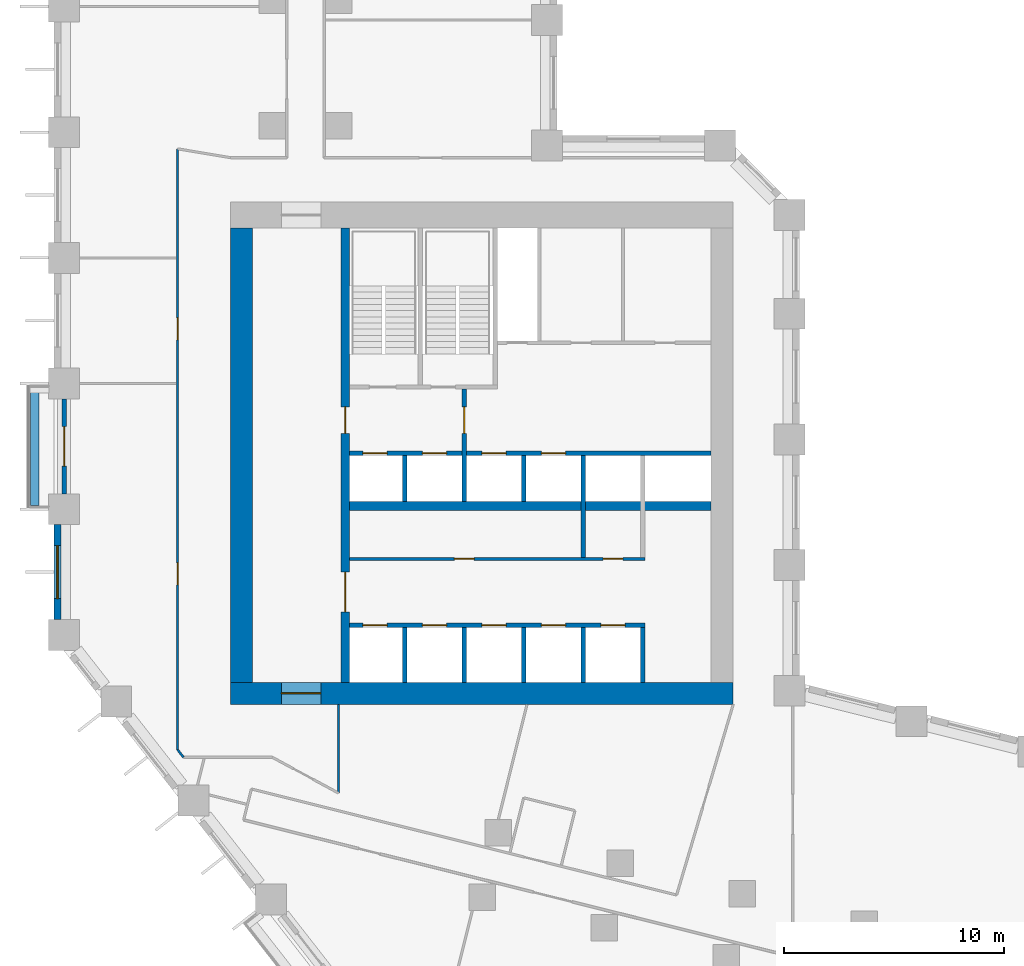
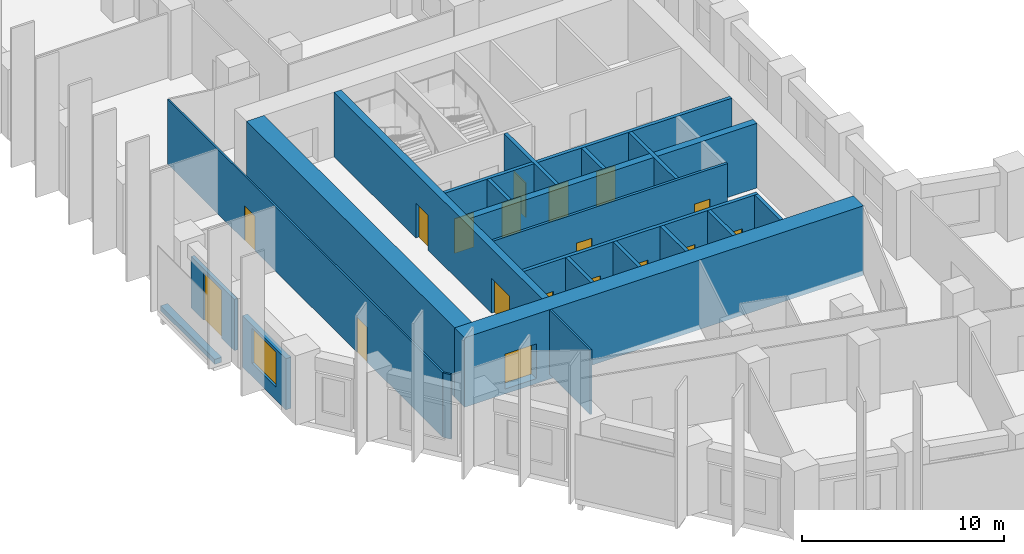
# One storey, part 5 of 12: 22 walls, 18 doors, 1 window, 19 openings.
"""IFC4 building model written with IfcOpenShell, lengths in metres."""

from ifc_helpers import new_model, si_unit, direction, frame, frame_2d, origin, place, context, subcontext, project, spatial, rectangle, extrude, material, layer, layer_set, type_object, element, fill, save


model = new_model("IFC4")

# Units and contexts
model_context = context("Model", 3, precision=1e-05, world=origin(), true_north=direction((0.0, 1.0)))
body_context = subcontext(model_context, "Body", "Model", "MODEL_VIEW")
ifc_project = project(units=[si_unit("LENGTHUNIT", "METRE"), si_unit("AREAUNIT", "SQUARE_METRE"), si_unit("VOLUMEUNIT", "CUBIC_METRE"), si_unit("PLANEANGLEUNIT", "RADIAN"), si_unit("MASSUNIT", "GRAM", prefix="KILO")], contexts=[model_context])

# Site, building, storey
site_placement = place(None, origin())
site = spatial("IfcSite", under=ifc_project, at=site_placement, CompositionType="ELEMENT")
building_placement = place(site_placement, origin())
building = spatial("IfcBuilding", under=site, at=building_placement, Name="Meshkara Civic Tower", CompositionType="ELEMENT")
storey_placement = place(building_placement, frame((0.0, 0.0, 83.39990234375)))
storey = spatial("IfcBuildingStorey", under=building, at=storey_placement, Name="L18", CompositionType="ELEMENT", Elevation=83.39990234375)

# Wall, openings, doors
ifc_material_1 = material(Name="Blockwork", Category="masonry")
ifc_layer_1 = layer(ifc_material_1, 0.14990234375)
ifc_layer_set_1 = layer_set([ifc_layer_1], Name="Core partition 150")
wall_type_1 = type_object("IfcWallType", Name="Core partition 150", PredefinedType="PARTITIONING", material=ifc_layer_set_1)
wall_1_placement = place(storey_placement, frame((13.39990234375, 20.699951171875, 0.0), z_axis=(0.0, 0.0, 1.0), x_axis=(1.0, 0.0, 0.0)))
wall_1 = element("IfcWall", 1, at=wall_1_placement, inside=storey, type_object=wall_type_1, Name="L18-C006", PredefinedType="PARTITIONING", context=body_context, shape_type="SweptSolid", body=[
    extrude(rectangle(XDim=13.400146484375, YDim=0.14990234375, at=frame_2d((6.7001953125, 0.0))), origin(), (0.0, 0.0, 1.0), 3.900146484375),
])
opening_1_placement = place(wall_1_placement, frame((4.75, 0.0, 0.0)))
opening_1 = element("IfcOpeningElement", 2, at=opening_1_placement, cuts=wall_1, Name="Opening L18-K010", PredefinedType="OPENING", context=body_context, shape_type="SweptSolid", body=[
    extrude(rectangle(XDim=0.89990234375, YDim=2.10009765625, at=frame_2d((0.449951171875, 1.050048828125))), frame((0.0, 0.0849609375, 0.0), z_axis=(0.0, -1.0, 0.0), x_axis=(1.0, 0.0, 0.0)), (0.0, 0.0, 1.0), 0.169921875),
])
opening_2_placement = place(wall_1_placement, frame((11.5, 0.0, 0.0)))
opening_2 = element("IfcOpeningElement", 3, at=opening_2_placement, cuts=wall_1, Name="Opening L18-K011", PredefinedType="OPENING", context=body_context, shape_type="SweptSolid", body=[
    extrude(rectangle(XDim=0.89990234375, YDim=2.10009765625, at=frame_2d((0.449951171875, 1.050048828125))), frame((0.0, 0.0849609375, 0.0), z_axis=(0.0, -1.0, 0.0), x_axis=(1.0, 0.0, 0.0)), (0.0, 0.0, 1.0), 0.169921875),
])
ifc_material_2 = material(Name="Timber door leaf in steel frame", Category="steel")
door_type_1 = type_object("IfcDoorType", Name="Core room door 900", OperationType="SINGLE_SWING_LEFT", PredefinedType="DOOR", material=ifc_material_2)
door_1_placement = place(opening_1_placement, origin())
door_1 = element("IfcDoor", 4, at=door_1_placement, inside=storey, type_object=door_type_1, Name="L18-K010", OperationType="SINGLE_SWING_RIGHT", OverallHeight=2.10009765625, OverallWidth=0.89990234375, PredefinedType="DOOR", context=body_context, shape_type="SweptSolid", body=[
    extrude(rectangle(XDim=0.89990234375, YDim=2.10009765625, at=frame_2d((0.449951171875, 1.050048828125))), frame((0.0, 0.02490234375, 0.0), z_axis=(0.0, -1.0, 0.0), x_axis=(1.0, 0.0, 0.0)), (0.0, 0.0, 1.0), 0.050048828125),
])
fill(opening_1, door_1)
door_2_placement = place(opening_2_placement, origin())
door_2 = element("IfcDoor", 5, at=door_2_placement, inside=storey, type_object=door_type_1, Name="L18-K011", OperationType="SINGLE_SWING_RIGHT", OverallHeight=2.10009765625, OverallWidth=0.89990234375, PredefinedType="DOOR", context=body_context, shape_type="SweptSolid", body=[
    extrude(rectangle(XDim=0.89990234375, YDim=2.10009765625, at=frame_2d((0.449951171875, 1.050048828125))), frame((0.0, 0.02490234375, 0.0), z_axis=(0.0, -1.0, 0.0), x_axis=(1.0, 0.0, 0.0)), (0.0, 0.0, 1.0), 0.050048828125),
])
fill(opening_2, door_2)

# Wall, opening, door
ifc_material_3 = material(Name="Concrete C80", Category="concrete")
ifc_layer_2 = layer(ifc_material_3, 1.0)
ifc_layer_set_2 = layer_set([ifc_layer_2], Name="Core ring wall 1000 C80")
wall_type_2 = type_object("IfcWallType", Name="Core ring wall 1000 C80", PredefinedType="SHEAR", material=ifc_layer_set_2)
wall_2_placement = place(storey_placement, frame((8.0, 14.60009765625, -0.2998046875), z_axis=(0.0, 0.0, 1.0), x_axis=(1.0, 0.0, 0.0)))
wall_2 = element("IfcWall", 6, at=wall_2_placement, inside=storey, type_object=wall_type_2, Name="L18-C001", PredefinedType="SHEAR", context=body_context, shape_type="SweptSolid", body=[
    extrude(rectangle(XDim=22.800048828125, YDim=1.0, at=frame_2d((11.39990234375, 0.0))), origin(), (0.0, 0.0, 1.0), 4.199951171875),
])
opening_3_placement = place(wall_2_placement, frame((2.300048828125, 0.0, 0.300048828125)))
opening_3 = element("IfcOpeningElement", 7, at=opening_3_placement, cuts=wall_2, Name="Opening L18-K021", PredefinedType="OPENING", context=body_context, shape_type="SweptSolid", body=[
    extrude(rectangle(XDim=1.800048828125, YDim=2.10009765625, at=frame_2d((0.89990234375, 1.050048828125))), frame((0.0, 0.510009765625, 0.0), z_axis=(0.0, -1.0, 0.0), x_axis=(1.0, 0.0, 0.0)), (0.0, 0.0, 1.0), 1.02001953125),
])
ifc_material_4 = material(Name="Fire-rated door leaf in steel frame", Category="steel")
door_type_2 = type_object("IfcDoorType", Name="Core double door 1800 EI 60", OperationType="DOUBLE_DOOR_SINGLE_SWING", PredefinedType="DOOR", material=ifc_material_4)
door_3_placement = place(opening_3_placement, origin())
door_3 = element("IfcDoor", 8, at=door_3_placement, inside=storey, type_object=door_type_2, Name="L18-K021", OperationType="DOUBLE_DOOR_SINGLE_SWING", OverallHeight=2.10009765625, OverallWidth=1.800048828125, PredefinedType="DOOR", context=body_context, shape_type="SweptSolid", body=[
    extrude(rectangle(XDim=1.800048828125, YDim=2.10009765625, at=frame_2d((0.89990234375, 1.050048828125))), frame((0.0, 0.02490234375, 0.0), z_axis=(0.0, -1.0, 0.0), x_axis=(1.0, 0.0, 0.0)), (0.0, 0.0, 1.0), 0.050048828125),
])
fill(opening_3, door_3)

# Walls
wall_3_placement = place(storey_placement, frame((8.5, 15.10009765625, -0.2998046875), z_axis=(0.0, 0.0, 1.0), x_axis=(0.0, 1.0, 0.0)))
element("IfcWall", 9, at=wall_3_placement, inside=storey, type_object=wall_type_2, Name="L18-C003", PredefinedType="SHEAR", context=body_context, shape_type="SweptSolid", body=[
    extrude(rectangle(XDim=20.599853515625, YDim=1.0, at=frame_2d((10.2998046875, 0.0))), origin(), (0.0, 0.0, 1.0), 4.199951171875),
])
ifc_material_5 = material(Name="Concrete C80", Category="concrete")
ifc_layer_3 = layer(ifc_material_5, 0.39990234375)
ifc_layer_set_3 = layer_set([ifc_layer_3], Name="Core shear wall 400 C80")
wall_type_3 = type_object("IfcWallType", Name="Core shear wall 400 C80", PredefinedType="SHEAR", material=ifc_layer_set_3)
wall_4_placement = place(storey_placement, frame((13.39990234375, 23.10009765625, 0.0), z_axis=(0.0, 0.0, 1.0), x_axis=(1.0, 0.0, 0.0)))
element("IfcWall", 10, at=wall_4_placement, inside=storey, type_object=wall_type_3, Name="L18-C007", PredefinedType="SHEAR", context=body_context, shape_type="SweptSolid", body=[
    extrude(rectangle(XDim=16.400146484375, YDim=0.39990234375, at=frame_2d((8.2001953125, 0.0))), origin(), (0.0, 0.0, 1.0), 3.900146484375),
])

# Wall, openings, doors
wall_5_placement = place(storey_placement, frame((13.199951171875, 15.10009765625, 0.0), z_axis=(0.0, 0.0, 1.0), x_axis=(0.0, 1.0, 0.0)))
wall_5 = element("IfcWall", 11, at=wall_5_placement, inside=storey, type_object=wall_type_3, Name="L18-C011", PredefinedType="SHEAR", context=body_context, shape_type="SweptSolid", body=[
    extrude(rectangle(XDim=20.599853515625, YDim=0.39990234375, at=frame_2d((10.2998046875, 0.0))), origin(), (0.0, 0.0, 1.0), 3.900146484375),
])
opening_4_placement = place(wall_5_placement, frame((3.199951171875, 0.0, 0.0)))
opening_4 = element("IfcOpeningElement", 12, at=opening_4_placement, cuts=wall_5, Name="Opening L18-K017", PredefinedType="OPENING", context=body_context, shape_type="SweptSolid", body=[
    extrude(rectangle(XDim=1.800048828125, YDim=2.10009765625, at=frame_2d((0.89990234375, 1.050048828125))), frame((0.0, 0.2099609375, 0.0), z_axis=(0.0, -1.0, 0.0), x_axis=(1.0, 0.0, 0.0)), (0.0, 0.0, 1.0), 0.419921875),
])
opening_5_placement = place(wall_5_placement, frame((11.300048828125, 0.0, 0.0)))
opening_5 = element("IfcOpeningElement", 13, at=opening_5_placement, cuts=wall_5, Name="Opening L18-K018", PredefinedType="OPENING", context=body_context, shape_type="SweptSolid", body=[
    extrude(rectangle(XDim=1.199951171875, YDim=2.10009765625, at=frame_2d((0.60009765625, 1.050048828125))), frame((0.0, 0.2099609375, 0.0), z_axis=(0.0, -1.0, 0.0), x_axis=(1.0, 0.0, 0.0)), (0.0, 0.0, 1.0), 0.419921875),
])
door_4_placement = place(opening_4_placement, origin())
door_4 = element("IfcDoor", 14, at=door_4_placement, inside=storey, type_object=door_type_2, Name="L18-K017", OperationType="DOUBLE_DOOR_SINGLE_SWING", OverallHeight=2.10009765625, OverallWidth=1.800048828125, PredefinedType="DOOR", context=body_context, shape_type="SweptSolid", body=[
    extrude(rectangle(XDim=1.800048828125, YDim=2.10009765625, at=frame_2d((0.89990234375, 1.050048828125))), frame((0.0, 0.02490234375, 0.0), z_axis=(0.0, -1.0, 0.0), x_axis=(1.0, 0.0, 0.0)), (0.0, 0.0, 1.0), 0.050048828125),
])
fill(opening_4, door_4)
ifc_material_6 = material(Name="Fire-rated door leaf in steel frame", Category="steel")
door_type_3 = type_object("IfcDoorType", Name="Fire-fighting lobby door 1200 EI 120", OperationType="SINGLE_SWING_LEFT", PredefinedType="DOOR", material=ifc_material_6)
door_5_placement = place(opening_5_placement, origin())
door_5 = element("IfcDoor", 15, at=door_5_placement, inside=storey, type_object=door_type_3, Name="L18-K018", OperationType="SINGLE_SWING_LEFT", OverallHeight=2.10009765625, OverallWidth=1.199951171875, PredefinedType="DOOR", context=body_context, shape_type="SweptSolid", body=[
    extrude(rectangle(XDim=1.199951171875, YDim=2.10009765625, at=frame_2d((0.60009765625, 1.050048828125))), frame((0.0, 0.02490234375, 0.0), z_axis=(0.0, -1.0, 0.0), x_axis=(1.0, 0.0, 0.0)), (0.0, 0.0, 1.0), 0.050048828125),
])
fill(opening_5, door_5)

ifc_material_7 = material(Name="Corridor wall 100")
ifc_layer_4 = layer(ifc_material_7, 0.10009765625)
ifc_layer_set_4 = layer_set([ifc_layer_4], Name="Corridor wall 100")
wall_type_4 = type_object("IfcWallType", Name="Corridor wall 100", PredefinedType="PARTITIONING", material=ifc_layer_set_4)
wall_6_placement = place(storey_placement, frame((5.60009765625, 12.04296875, 0.0), z_axis=(0.0, 0.0, 1.0), x_axis=(0.0, 1.0, 0.0)))
wall_6 = element("IfcWall", 16, at=wall_6_placement, inside=storey, type_object=wall_type_4, Name="L18-W003", PredefinedType="PARTITIONING", context=body_context, shape_type="SweptSolid", body=[
    extrude(rectangle(XDim=27.257080078125, YDim=0.10009765625, at=frame_2d((13.62841796875, 0.0))), origin(), (0.0, 0.0, 1.0), 3.900146484375),
])
opening_6_placement = place(wall_6_placement, frame((7.47998046875, 0.0, 0.0)))
opening_6 = element("IfcOpeningElement", 17, at=opening_6_placement, cuts=wall_6, Name="Opening L18-D018", PredefinedType="OPENING", context=body_context, shape_type="SweptSolid", body=[
    extrude(rectangle(XDim=1.0, YDim=2.10009765625, at=frame_2d((0.5, 1.050048828125))), frame((0.0, 0.06005859375, 0.0), z_axis=(0.0, -1.0, 0.0), x_axis=(1.0, 0.0, 0.0)), (0.0, 0.0, 1.0), 0.1201171875),
])
opening_7_placement = place(wall_6_placement, frame((18.592041015625, 0.0, 0.0)))
opening_7 = element("IfcOpeningElement", 18, at=opening_7_placement, cuts=wall_6, Name="Opening L18-D019", PredefinedType="OPENING", context=body_context, shape_type="SweptSolid", body=[
    extrude(rectangle(XDim=1.0, YDim=2.10009765625, at=frame_2d((0.5, 1.050048828125))), frame((0.0, 0.06005859375, 0.0), z_axis=(0.0, -1.0, 0.0), x_axis=(1.0, 0.0, 0.0)), (0.0, 0.0, 1.0), 0.1201171875),
])
ifc_material_8 = material(Name="Door 1000 x 2100")
door_type_4 = type_object("IfcDoorType", Name="Door 1000 x 2100", OperationType="SINGLE_SWING_LEFT", PredefinedType="DOOR", material=ifc_material_8)
door_6_placement = place(opening_6_placement, origin())
door_6 = element("IfcDoor", 19, at=door_6_placement, inside=storey, type_object=door_type_4, Name="L18-D018", OperationType="SINGLE_SWING_LEFT", OverallHeight=2.10009765625, OverallWidth=1.0, PredefinedType="DOOR", context=body_context, shape_type="SweptSolid", body=[
    extrude(rectangle(XDim=1.0, YDim=2.10009765625, at=frame_2d((0.5, 1.050048828125))), frame((0.0, 0.02490234375, 0.0), z_axis=(0.0, -1.0, 0.0), x_axis=(1.0, 0.0, 0.0)), (0.0, 0.0, 1.0), 0.050048828125),
])
fill(opening_6, door_6)
door_7_placement = place(opening_7_placement, origin())
door_7 = element("IfcDoor", 20, at=door_7_placement, inside=storey, type_object=door_type_4, Name="L18-D019", OperationType="SINGLE_SWING_LEFT", OverallHeight=2.10009765625, OverallWidth=1.0, PredefinedType="DOOR", context=body_context, shape_type="SweptSolid", body=[
    extrude(rectangle(XDim=1.0, YDim=2.10009765625, at=frame_2d((0.5, 1.050048828125))), frame((0.0, 0.02490234375, 0.0), z_axis=(0.0, -1.0, 0.0), x_axis=(1.0, 0.0, 0.0)), (0.0, 0.0, 1.0), 0.050048828125),
])
fill(opening_7, door_7)

# Walls
wall_7_placement = place(storey_placement, frame((5.60009765625, 12.04296875, 0.0), z_axis=(0.0, 0.0, 1.0), x_axis=(0.615415398102, -0.788202948344, 0.0)))
element("IfcWall", 21, at=wall_7_placement, inside=storey, type_object=wall_type_4, Name="L18-W004", PredefinedType="PARTITIONING", context=body_context, shape_type="SweptSolid", body=[
    extrude(rectangle(XDim=0.435302734375, YDim=0.10009765625, at=frame_2d((0.2177734375, 0.0))), origin(), (0.0, 0.0, 1.0), 3.900146484375),
])
wall_8_placement = place(storey_placement, frame((12.89990234375, 10.077880859375, 0.0), z_axis=(0.0, 0.0, 1.0), x_axis=(0.0, 1.0, 0.0)))
element("IfcWall", 22, at=wall_8_placement, inside=storey, type_object=wall_type_4, Name="L18-W015", PredefinedType="PARTITIONING", context=body_context, shape_type="SweptSolid", body=[
    extrude(rectangle(XDim=4.022216796875, YDim=0.10009765625, at=frame_2d((2.01123046875, 0.0))), origin(), (0.0, 0.0, 1.0), 3.900146484375),
])

# Wall, opening, window
ifc_material_9 = material(Name="Insulated infill panel with bronze anodised aluminium cladding", Category="aluminium")
ifc_layer_5 = layer(ifc_material_9, 0.300048828125)
ifc_layer_set_5 = layer_set([ifc_layer_5], Name="EXTERNAL INFILL WALL 300")
wall_type_5 = type_object("IfcWallType", Name="EXTERNAL INFILL WALL 300", PredefinedType="SOLIDWALL", material=ifc_layer_set_5)
wall_9_placement = place(storey_placement, frame((0.14990234375, 22.2548828125, 0.0), z_axis=(0.0, 0.0, 1.0), x_axis=(0.0, -1.0, 0.0)))
wall_9 = element("IfcWall", 23, at=wall_9_placement, inside=storey, type_object=wall_type_5, Name="External wall", PredefinedType="SOLIDWALL", context=body_context, shape_type="SweptSolid", body=[
    extrude(rectangle(XDim=4.2998046875, YDim=0.300048828125, at=frame_2d((2.14990234375, 0.0))), origin(), (0.0, 0.0, 1.0), 3.10009765625),
])
opening_8_placement = place(wall_9_placement, frame((0.949951171875, 0.0, 0.800048828125)))
opening_8 = element("IfcOpeningElement", 24, at=opening_8_placement, cuts=wall_9, Name="Opening W7", PredefinedType="OPENING", context=body_context, shape_type="SweptSolid", body=[
    extrude(rectangle(XDim=2.39990234375, YDim=2.10009765625, at=frame_2d((1.199951171875, 1.050048828125))), frame((0.0, 0.159912109375, 0.0), z_axis=(0.0, -1.0, 0.0), x_axis=(1.0, 0.0, 0.0)), (0.0, 0.0, 1.0), 0.320068359375),
])
ifc_material_10 = material(Name="Tinted double glazing", Category="glass")
window_type = type_object("IfcWindowType", Name="WINDOW 2400x2100", PartitioningType="DOUBLE_PANEL_VERTICAL", PredefinedType="WINDOW", material=ifc_material_10)
window_placement = place(opening_8_placement, origin())
window = element("IfcWindow", 25, at=window_placement, inside=storey, type_object=window_type, Name="Window", OverallHeight=2.10009765625, OverallWidth=2.39990234375, PartitioningType="DOUBLE_PANEL_VERTICAL", PredefinedType="WINDOW", context=body_context, shape_type="SweptSolid", body=[
    extrude(rectangle(XDim=2.39990234375, YDim=2.10009765625, at=frame_2d((1.199951171875, 1.050048828125))), frame((0.0, 0.030029296875, 0.0), z_axis=(0.0, -1.0, 0.0), x_axis=(1.0, 0.0, 0.0)), (0.0, 0.0, 1.0), 0.06005859375),
])
fill(opening_8, window)

# Wall, opening, door
ifc_material_11 = material(Name="Insulated infill panel with bronze anodised aluminium cladding", Category="aluminium")
ifc_layer_6 = layer(ifc_material_11, 0.199951171875)
ifc_layer_set_6 = layer_set([ifc_layer_6], Name="LOGGIA BACK WALL 200")
wall_type_6 = type_object("IfcWallType", Name="LOGGIA BACK WALL 200", PredefinedType="SOLIDWALL", material=ifc_layer_set_6)
wall_10_placement = place(storey_placement, frame((0.449951171875, 27.9541015625, 0.0), z_axis=(0.0, 0.0, 1.0), x_axis=(0.0, -1.0, 0.0)))
wall_10 = element("IfcWall", 26, at=wall_10_placement, inside=storey, type_object=wall_type_6, Name="Loggia wall", PredefinedType="SOLIDWALL", context=body_context, shape_type="SweptSolid", body=[
    extrude(rectangle(XDim=4.298095703125, YDim=0.199951171875, at=frame_2d((2.14892578125, 0.0))), origin(), (0.0, 0.0, 1.0), 3.10009765625),
])
opening_9_placement = place(wall_10_placement, frame((1.2490234375, 0.0, 0.0)))
opening_9 = element("IfcOpeningElement", 27, at=opening_9_placement, cuts=wall_10, Name="Opening L18-L002", PredefinedType="OPENING", context=body_context, shape_type="SweptSolid", body=[
    extrude(rectangle(XDim=1.800048828125, YDim=2.89990234375, at=frame_2d((0.89990234375, 1.449951171875))), frame((0.0, 0.10986328125, 0.0), z_axis=(0.0, -1.0, 0.0), x_axis=(1.0, 0.0, 0.0)), (0.0, 0.0, 1.0), 0.219970703125),
])
ifc_material_12 = material(Name="Tinted double glazing", Category="glass")
door_type_5 = type_object("IfcDoorType", Name="LOGGIA DOOR 1800x2900", OperationType="DOUBLE_DOOR_SINGLE_SWING", PredefinedType="DOOR", material=ifc_material_12)
door_8_placement = place(opening_9_placement, origin())
door_8 = element("IfcDoor", 28, at=door_8_placement, inside=storey, type_object=door_type_5, Name="L18-L002", OperationType="DOUBLE_DOOR_SINGLE_SWING", OverallHeight=2.89990234375, OverallWidth=1.800048828125, PredefinedType="DOOR", context=body_context, shape_type="SweptSolid", body=[
    extrude(rectangle(XDim=1.800048828125, YDim=2.89990234375, at=frame_2d((0.89990234375, 1.449951171875))), frame((0.0, 0.02490234375, 0.0), z_axis=(0.0, -1.0, 0.0), x_axis=(1.0, 0.0, 0.0)), (0.0, 0.0, 1.0), 0.050048828125),
])
fill(opening_9, door_8)

# Wall
ifc_material_13 = material(Name="Concrete C40", Category="concrete")
ifc_layer_7 = layer(ifc_material_13, 0.39990234375)
ifc_layer_set_7 = layer_set([ifc_layer_7], Name="PLANTER TRAY")
wall_type_7 = type_object("IfcWallType", Name="PLANTER TRAY", PredefinedType="SOLIDWALL", material=ifc_layer_set_7)
wall_11_placement = place(storey_placement, frame((-0.8798828125, 28.485107421875, 0.0), z_axis=(0.0, 0.0, 1.0), x_axis=(0.0, -1.0, 0.0)))
element("IfcWall", 29, at=wall_11_placement, inside=storey, type_object=wall_type_7, Name="Planter", PredefinedType="SOLIDWALL", context=body_context, shape_type="SweptSolid", body=[
    extrude(rectangle(XDim=5.360107421875, YDim=0.39990234375, at=frame_2d((2.68017578125, 0.0))), origin(), (0.0, 0.0, 1.0), 0.300048828125),
])

# Wall, openings, doors
ifc_material_14 = material(Name="Concrete C40/50", Category="concrete")
ifc_layer_8 = layer(ifc_material_14, 0.199951171875)
ifc_layer_set_8 = layer_set([ifc_layer_8], Name="Shaft wall 200 C40/50")
wall_type_8 = type_object("IfcWallType", Name="Shaft wall 200 C40/50", PredefinedType="SOLIDWALL", material=ifc_layer_set_8)
wall_12_placement = place(storey_placement, frame((13.39990234375, 17.699951171875, 0.0), z_axis=(0.0, 0.0, 1.0), x_axis=(1.0, 0.0, 0.0)))
wall_12 = element("IfcWall", 30, at=wall_12_placement, inside=storey, type_object=wall_type_8, Name="L18-C005", PredefinedType="SOLIDWALL", context=body_context, shape_type="SweptSolid", body=[
    extrude(rectangle(XDim=13.400146484375, YDim=0.199951171875, at=frame_2d((6.7001953125, 0.0))), origin(), (0.0, 0.0, 1.0), 3.900146484375),
])
opening_10_placement = place(wall_12_placement, frame((0.60009765625, 0.0, 0.0)))
opening_10 = element("IfcOpeningElement", 31, at=opening_10_placement, cuts=wall_12, Name="Opening L18-K001", PredefinedType="OPENING", context=body_context, shape_type="SweptSolid", body=[
    extrude(rectangle(XDim=1.10009765625, YDim=2.10009765625, at=frame_2d((0.550048828125, 1.050048828125))), frame((0.0, 0.10986328125, 0.0), z_axis=(0.0, -1.0, 0.0), x_axis=(1.0, 0.0, 0.0)), (0.0, 0.0, 1.0), 0.219970703125),
])
opening_11_placement = place(wall_12_placement, frame((3.300048828125, 0.0, 0.0)))
opening_11 = element("IfcOpeningElement", 32, at=opening_11_placement, cuts=wall_12, Name="Opening L18-K002", PredefinedType="OPENING", context=body_context, shape_type="SweptSolid", body=[
    extrude(rectangle(XDim=1.10009765625, YDim=2.10009765625, at=frame_2d((0.550048828125, 1.050048828125))), frame((0.0, 0.10986328125, 0.0), z_axis=(0.0, -1.0, 0.0), x_axis=(1.0, 0.0, 0.0)), (0.0, 0.0, 1.0), 0.219970703125),
])
opening_12_placement = place(wall_12_placement, frame((6.0, 0.0, 0.0)))
opening_12 = element("IfcOpeningElement", 33, at=opening_12_placement, cuts=wall_12, Name="Opening L18-K003", PredefinedType="OPENING", context=body_context, shape_type="SweptSolid", body=[
    extrude(rectangle(XDim=1.10009765625, YDim=2.10009765625, at=frame_2d((0.550048828125, 1.050048828125))), frame((0.0, 0.10986328125, 0.0), z_axis=(0.0, -1.0, 0.0), x_axis=(1.0, 0.0, 0.0)), (0.0, 0.0, 1.0), 0.219970703125),
])
opening_13_placement = place(wall_12_placement, frame((8.699951171875, 0.0, 0.0)))
opening_13 = element("IfcOpeningElement", 34, at=opening_13_placement, cuts=wall_12, Name="Opening L18-K004", PredefinedType="OPENING", context=body_context, shape_type="SweptSolid", body=[
    extrude(rectangle(XDim=1.10009765625, YDim=2.10009765625, at=frame_2d((0.550048828125, 1.050048828125))), frame((0.0, 0.10986328125, 0.0), z_axis=(0.0, -1.0, 0.0), x_axis=(1.0, 0.0, 0.0)), (0.0, 0.0, 1.0), 0.219970703125),
])
opening_14_placement = place(wall_12_placement, frame((11.39990234375, 0.0, 0.0)))
opening_14 = element("IfcOpeningElement", 35, at=opening_14_placement, cuts=wall_12, Name="Opening L18-K005", PredefinedType="OPENING", context=body_context, shape_type="SweptSolid", body=[
    extrude(rectangle(XDim=1.10009765625, YDim=2.10009765625, at=frame_2d((0.550048828125, 1.050048828125))), frame((0.0, 0.10986328125, 0.0), z_axis=(0.0, -1.0, 0.0), x_axis=(1.0, 0.0, 0.0)), (0.0, 0.0, 1.0), 0.219970703125),
])
ifc_material_15 = material(Name="Stainless steel landing door", Category="steel")
door_type_6 = type_object("IfcDoorType", Name="Lift landing door 1100", OperationType="SLIDING_TO_LEFT", PredefinedType="DOOR", material=ifc_material_15)
door_9_placement = place(opening_10_placement, origin())
door_9 = element("IfcDoor", 36, at=door_9_placement, inside=storey, type_object=door_type_6, Name="L18-K001", OperationType="SLIDING_TO_LEFT", OverallHeight=2.10009765625, OverallWidth=1.10009765625, PredefinedType="DOOR", context=body_context, shape_type="SweptSolid", body=[
    extrude(rectangle(XDim=1.10009765625, YDim=2.10009765625, at=frame_2d((0.550048828125, 1.050048828125))), frame((0.0, 0.02490234375, 0.0), z_axis=(0.0, -1.0, 0.0), x_axis=(1.0, 0.0, 0.0)), (0.0, 0.0, 1.0), 0.050048828125),
])
fill(opening_10, door_9)
door_10_placement = place(opening_11_placement, origin())
door_10 = element("IfcDoor", 37, at=door_10_placement, inside=storey, type_object=door_type_6, Name="L18-K002", OperationType="SLIDING_TO_LEFT", OverallHeight=2.10009765625, OverallWidth=1.10009765625, PredefinedType="DOOR", context=body_context, shape_type="SweptSolid", body=[
    extrude(rectangle(XDim=1.10009765625, YDim=2.10009765625, at=frame_2d((0.550048828125, 1.050048828125))), frame((0.0, 0.02490234375, 0.0), z_axis=(0.0, -1.0, 0.0), x_axis=(1.0, 0.0, 0.0)), (0.0, 0.0, 1.0), 0.050048828125),
])
fill(opening_11, door_10)
door_11_placement = place(opening_12_placement, origin())
door_11 = element("IfcDoor", 38, at=door_11_placement, inside=storey, type_object=door_type_6, Name="L18-K003", OperationType="SLIDING_TO_LEFT", OverallHeight=2.10009765625, OverallWidth=1.10009765625, PredefinedType="DOOR", context=body_context, shape_type="SweptSolid", body=[
    extrude(rectangle(XDim=1.10009765625, YDim=2.10009765625, at=frame_2d((0.550048828125, 1.050048828125))), frame((0.0, 0.02490234375, 0.0), z_axis=(0.0, -1.0, 0.0), x_axis=(1.0, 0.0, 0.0)), (0.0, 0.0, 1.0), 0.050048828125),
])
fill(opening_12, door_11)
door_12_placement = place(opening_13_placement, origin())
door_12 = element("IfcDoor", 39, at=door_12_placement, inside=storey, type_object=door_type_6, Name="L18-K004", OperationType="SLIDING_TO_LEFT", OverallHeight=2.10009765625, OverallWidth=1.10009765625, PredefinedType="DOOR", context=body_context, shape_type="SweptSolid", body=[
    extrude(rectangle(XDim=1.10009765625, YDim=2.10009765625, at=frame_2d((0.550048828125, 1.050048828125))), frame((0.0, 0.02490234375, 0.0), z_axis=(0.0, -1.0, 0.0), x_axis=(1.0, 0.0, 0.0)), (0.0, 0.0, 1.0), 0.050048828125),
])
fill(opening_13, door_12)
door_13_placement = place(opening_14_placement, origin())
door_13 = element("IfcDoor", 40, at=door_13_placement, inside=storey, type_object=door_type_6, Name="L18-K005", OperationType="SLIDING_TO_LEFT", OverallHeight=2.10009765625, OverallWidth=1.10009765625, PredefinedType="DOOR", context=body_context, shape_type="SweptSolid", body=[
    extrude(rectangle(XDim=1.10009765625, YDim=2.10009765625, at=frame_2d((0.550048828125, 1.050048828125))), frame((0.0, 0.02490234375, 0.0), z_axis=(0.0, -1.0, 0.0), x_axis=(1.0, 0.0, 0.0)), (0.0, 0.0, 1.0), 0.050048828125),
])
fill(opening_14, door_13)

wall_13_placement = place(storey_placement, frame((13.39990234375, 25.5, 0.0), z_axis=(0.0, 0.0, 1.0), x_axis=(1.0, 0.0, 0.0)))
wall_13 = element("IfcWall", 41, at=wall_13_placement, inside=storey, type_object=wall_type_8, Name="L18-C008", PredefinedType="SOLIDWALL", context=body_context, shape_type="SweptSolid", body=[
    extrude(rectangle(XDim=16.400146484375, YDim=0.199951171875, at=frame_2d((8.2001953125, 0.0))), origin(), (0.0, 0.0, 1.0), 3.900146484375),
])
opening_15_placement = place(wall_13_placement, frame((0.60009765625, 0.0, 0.0)))
opening_15 = element("IfcOpeningElement", 42, at=opening_15_placement, cuts=wall_13, Name="Opening L18-K006", PredefinedType="OPENING", context=body_context, shape_type="SweptSolid", body=[
    extrude(rectangle(XDim=1.10009765625, YDim=2.10009765625, at=frame_2d((0.550048828125, 1.050048828125))), frame((0.0, 0.10986328125, 0.0), z_axis=(0.0, -1.0, 0.0), x_axis=(1.0, 0.0, 0.0)), (0.0, 0.0, 1.0), 0.219970703125),
])
opening_16_placement = place(wall_13_placement, frame((3.300048828125, 0.0, 0.0)))
opening_16 = element("IfcOpeningElement", 43, at=opening_16_placement, cuts=wall_13, Name="Opening L18-K007", PredefinedType="OPENING", context=body_context, shape_type="SweptSolid", body=[
    extrude(rectangle(XDim=1.10009765625, YDim=2.10009765625, at=frame_2d((0.550048828125, 1.050048828125))), frame((0.0, 0.10986328125, 0.0), z_axis=(0.0, -1.0, 0.0), x_axis=(1.0, 0.0, 0.0)), (0.0, 0.0, 1.0), 0.219970703125),
])
opening_17_placement = place(wall_13_placement, frame((6.0, 0.0, 0.0)))
opening_17 = element("IfcOpeningElement", 44, at=opening_17_placement, cuts=wall_13, Name="Opening L18-K008", PredefinedType="OPENING", context=body_context, shape_type="SweptSolid", body=[
    extrude(rectangle(XDim=1.10009765625, YDim=2.10009765625, at=frame_2d((0.550048828125, 1.050048828125))), frame((0.0, 0.10986328125, 0.0), z_axis=(0.0, -1.0, 0.0), x_axis=(1.0, 0.0, 0.0)), (0.0, 0.0, 1.0), 0.219970703125),
])
opening_18_placement = place(wall_13_placement, frame((8.699951171875, 0.0, 0.0)))
opening_18 = element("IfcOpeningElement", 45, at=opening_18_placement, cuts=wall_13, Name="Opening L18-K009", PredefinedType="OPENING", context=body_context, shape_type="SweptSolid", body=[
    extrude(rectangle(XDim=1.10009765625, YDim=2.10009765625, at=frame_2d((0.550048828125, 1.050048828125))), frame((0.0, 0.10986328125, 0.0), z_axis=(0.0, -1.0, 0.0), x_axis=(1.0, 0.0, 0.0)), (0.0, 0.0, 1.0), 0.219970703125),
])
door_14_placement = place(opening_15_placement, origin())
door_14 = element("IfcDoor", 46, at=door_14_placement, inside=storey, type_object=door_type_6, Name="L18-K006", OperationType="SLIDING_TO_LEFT", OverallHeight=2.10009765625, OverallWidth=1.10009765625, PredefinedType="DOOR", context=body_context, shape_type="SweptSolid", body=[
    extrude(rectangle(XDim=1.10009765625, YDim=2.10009765625, at=frame_2d((0.550048828125, 1.050048828125))), frame((0.0, 0.02490234375, 0.0), z_axis=(0.0, -1.0, 0.0), x_axis=(1.0, 0.0, 0.0)), (0.0, 0.0, 1.0), 0.050048828125),
])
fill(opening_15, door_14)
door_15_placement = place(opening_16_placement, origin())
door_15 = element("IfcDoor", 47, at=door_15_placement, inside=storey, type_object=door_type_6, Name="L18-K007", OperationType="SLIDING_TO_LEFT", OverallHeight=2.10009765625, OverallWidth=1.10009765625, PredefinedType="DOOR", context=body_context, shape_type="SweptSolid", body=[
    extrude(rectangle(XDim=1.10009765625, YDim=2.10009765625, at=frame_2d((0.550048828125, 1.050048828125))), frame((0.0, 0.02490234375, 0.0), z_axis=(0.0, -1.0, 0.0), x_axis=(1.0, 0.0, 0.0)), (0.0, 0.0, 1.0), 0.050048828125),
])
fill(opening_16, door_15)
door_16_placement = place(opening_17_placement, origin())
door_16 = element("IfcDoor", 48, at=door_16_placement, inside=storey, type_object=door_type_6, Name="L18-K008", OperationType="SLIDING_TO_LEFT", OverallHeight=2.10009765625, OverallWidth=1.10009765625, PredefinedType="DOOR", context=body_context, shape_type="SweptSolid", body=[
    extrude(rectangle(XDim=1.10009765625, YDim=2.10009765625, at=frame_2d((0.550048828125, 1.050048828125))), frame((0.0, 0.02490234375, 0.0), z_axis=(0.0, -1.0, 0.0), x_axis=(1.0, 0.0, 0.0)), (0.0, 0.0, 1.0), 0.050048828125),
])
fill(opening_17, door_16)
door_17_placement = place(opening_18_placement, origin())
door_17 = element("IfcDoor", 49, at=door_17_placement, inside=storey, type_object=door_type_6, Name="L18-K009", OperationType="SLIDING_TO_LEFT", OverallHeight=2.10009765625, OverallWidth=1.10009765625, PredefinedType="DOOR", context=body_context, shape_type="SweptSolid", body=[
    extrude(rectangle(XDim=1.10009765625, YDim=2.10009765625, at=frame_2d((0.550048828125, 1.050048828125))), frame((0.0, 0.02490234375, 0.0), z_axis=(0.0, -1.0, 0.0), x_axis=(1.0, 0.0, 0.0)), (0.0, 0.0, 1.0), 0.050048828125),
])
fill(opening_18, door_17)

# Walls
wall_14_placement = place(storey_placement, frame((15.89990234375, 15.10009765625, 0.0), z_axis=(0.0, 0.0, 1.0), x_axis=(0.0, 1.0, 0.0)))
element("IfcWall", 50, at=wall_14_placement, inside=storey, type_object=wall_type_8, Name="L18-C012", PredefinedType="SOLIDWALL", context=body_context, shape_type="SweptSolid", body=[
    extrude(rectangle(XDim=2.5, YDim=0.199951171875, at=frame_2d((1.25, 0.0))), origin(), (0.0, 0.0, 1.0), 3.900146484375),
])
wall_15_placement = place(storey_placement, frame((15.89990234375, 23.300048828125, 0.0), z_axis=(0.0, 0.0, 1.0), x_axis=(0.0, 1.0, 0.0)))
element("IfcWall", 51, at=wall_15_placement, inside=storey, type_object=wall_type_8, Name="L18-C013", PredefinedType="SOLIDWALL", context=body_context, shape_type="SweptSolid", body=[
    extrude(rectangle(XDim=2.099853515625, YDim=0.199951171875, at=frame_2d((1.0498046875, 0.0))), origin(), (0.0, 0.0, 1.0), 3.900146484375),
])
wall_16_placement = place(storey_placement, frame((18.60009765625, 15.10009765625, 0.0), z_axis=(0.0, 0.0, 1.0), x_axis=(0.0, 1.0, 0.0)))
element("IfcWall", 52, at=wall_16_placement, inside=storey, type_object=wall_type_8, Name="L18-C015", PredefinedType="SOLIDWALL", context=body_context, shape_type="SweptSolid", body=[
    extrude(rectangle(XDim=2.5, YDim=0.199951171875, at=frame_2d((1.25, 0.0))), origin(), (0.0, 0.0, 1.0), 3.900146484375),
])

# Wall, opening, door
wall_17_placement = place(storey_placement, frame((18.60009765625, 23.300048828125, 0.0), z_axis=(0.0, 0.0, 1.0), x_axis=(0.0, 1.0, 0.0)))
wall_17 = element("IfcWall", 53, at=wall_17_placement, inside=storey, type_object=wall_type_8, Name="L18-C016", PredefinedType="SOLIDWALL", context=body_context, shape_type="SweptSolid", body=[
    extrude(rectangle(XDim=5.099853515625, YDim=0.199951171875, at=frame_2d((2.5498046875, 0.0))), origin(), (0.0, 0.0, 1.0), 3.900146484375),
])
opening_19_placement = place(wall_17_placement, frame((3.10009765625, 0.0, 0.0)))
opening_19 = element("IfcOpeningElement", 54, at=opening_19_placement, cuts=wall_17, Name="Opening L18-K019", PredefinedType="OPENING", context=body_context, shape_type="SweptSolid", body=[
    extrude(rectangle(XDim=1.199951171875, YDim=2.10009765625, at=frame_2d((0.60009765625, 1.050048828125))), frame((0.0, 0.10986328125, 0.0), z_axis=(0.0, -1.0, 0.0), x_axis=(1.0, 0.0, 0.0)), (0.0, 0.0, 1.0), 0.219970703125),
])
door_18_placement = place(opening_19_placement, origin())
door_18 = element("IfcDoor", 55, at=door_18_placement, inside=storey, type_object=door_type_3, Name="L18-K019", OperationType="SINGLE_SWING_RIGHT", OverallHeight=2.10009765625, OverallWidth=1.199951171875, PredefinedType="DOOR", context=body_context, shape_type="SweptSolid", body=[
    extrude(rectangle(XDim=1.199951171875, YDim=2.10009765625, at=frame_2d((0.60009765625, 1.050048828125))), frame((0.0, 0.02490234375, 0.0), z_axis=(0.0, -1.0, 0.0), x_axis=(1.0, 0.0, 0.0)), (0.0, 0.0, 1.0), 0.050048828125),
])
fill(opening_19, door_18)

# Walls
wall_18_placement = place(storey_placement, frame((21.300048828125, 15.10009765625, 0.0), z_axis=(0.0, 0.0, 1.0), x_axis=(0.0, 1.0, 0.0)))
element("IfcWall", 56, at=wall_18_placement, inside=storey, type_object=wall_type_8, Name="L18-C018", PredefinedType="SOLIDWALL", context=body_context, shape_type="SweptSolid", body=[
    extrude(rectangle(XDim=2.5, YDim=0.199951171875, at=frame_2d((1.25, 0.0))), origin(), (0.0, 0.0, 1.0), 3.900146484375),
])
wall_19_placement = place(storey_placement, frame((21.300048828125, 23.300048828125, 0.0), z_axis=(0.0, 0.0, 1.0), x_axis=(0.0, 1.0, 0.0)))
element("IfcWall", 57, at=wall_19_placement, inside=storey, type_object=wall_type_8, Name="L18-C019", PredefinedType="SOLIDWALL", context=body_context, shape_type="SweptSolid", body=[
    extrude(rectangle(XDim=2.099853515625, YDim=0.199951171875, at=frame_2d((1.0498046875, 0.0))), origin(), (0.0, 0.0, 1.0), 3.900146484375),
])
wall_20_placement = place(storey_placement, frame((24.0, 15.10009765625, 0.0), z_axis=(0.0, 0.0, 1.0), x_axis=(0.0, 1.0, 0.0)))
element("IfcWall", 58, at=wall_20_placement, inside=storey, type_object=wall_type_8, Name="L18-C021", PredefinedType="SOLIDWALL", context=body_context, shape_type="SweptSolid", body=[
    extrude(rectangle(XDim=2.5, YDim=0.199951171875, at=frame_2d((1.25, 0.0))), origin(), (0.0, 0.0, 1.0), 3.900146484375),
])
wall_21_placement = place(storey_placement, frame((24.0, 20.77490234375, 0.0), z_axis=(0.0, 0.0, 1.0), x_axis=(0.0, 1.0, 0.0)))
element("IfcWall", 59, at=wall_21_placement, inside=storey, type_object=wall_type_8, Name="L18-C022", PredefinedType="SOLIDWALL", context=body_context, shape_type="SweptSolid", body=[
    extrude(rectangle(XDim=4.625, YDim=0.199951171875, at=frame_2d((2.3125, 0.0))), origin(), (0.0, 0.0, 1.0), 3.900146484375),
])
wall_22_placement = place(storey_placement, frame((26.699951171875, 15.10009765625, 0.0), z_axis=(0.0, 0.0, 1.0), x_axis=(0.0, 1.0, 0.0)))
element("IfcWall", 60, at=wall_22_placement, inside=storey, type_object=wall_type_8, Name="L18-C024", PredefinedType="SOLIDWALL", context=body_context, shape_type="SweptSolid", body=[
    extrude(rectangle(XDim=2.5, YDim=0.199951171875, at=frame_2d((1.25, 0.0))), origin(), (0.0, 0.0, 1.0), 3.900146484375),
])

save(model, "model.ifc")
